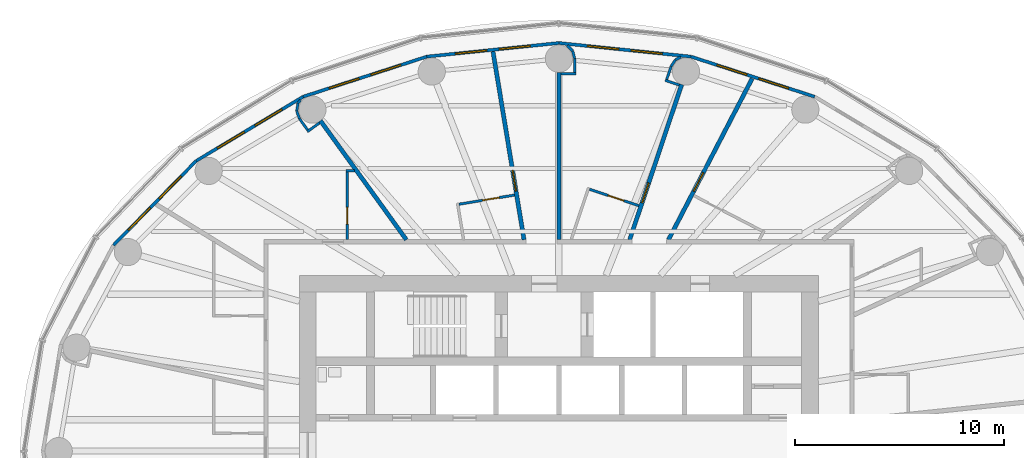
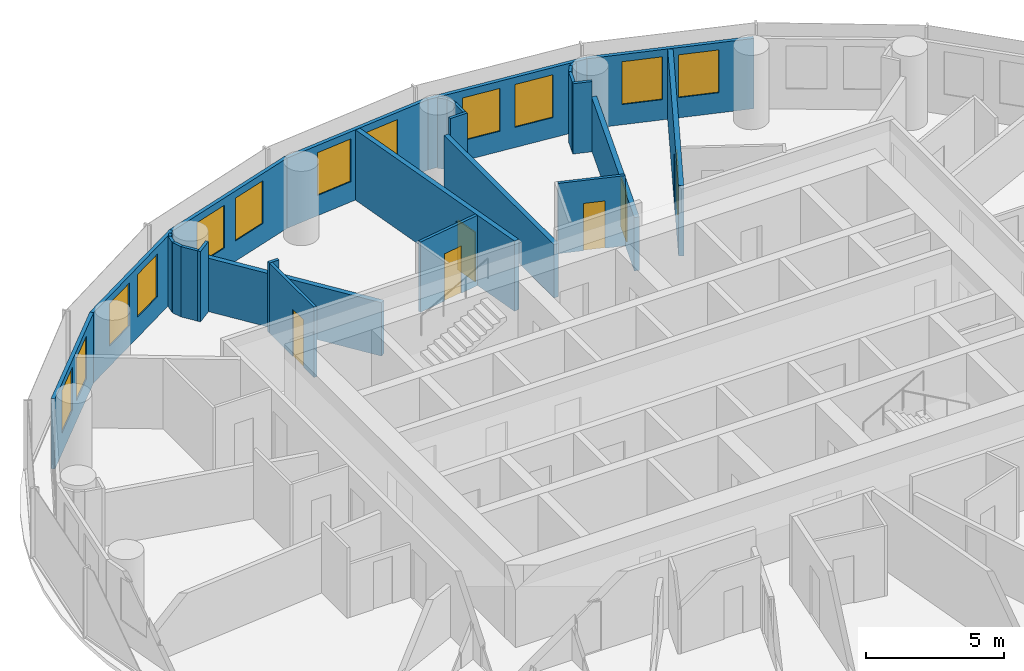
# One storey, part 11 of 14: 28 walls, 12 windows, 6 doors, 18 openings.
"""IFC4 building model written with IfcOpenShell, lengths in metres."""

from ifc_helpers import new_model, si_unit, direction, frame, frame_2d, origin, place, context, subcontext, project, spatial, rectangle, extrude, material, layer, layer_set, type_object, element, fill, save


model = new_model("IFC4")

# Units and contexts
model_context = context("Model", 3, precision=1e-05, world=origin(), true_north=direction((0.0, 1.0)))
body_context = subcontext(model_context, "Body", "Model", "MODEL_VIEW")
ifc_project = project(units=[si_unit("LENGTHUNIT", "METRE"), si_unit("AREAUNIT", "SQUARE_METRE"), si_unit("VOLUMEUNIT", "CUBIC_METRE"), si_unit("PLANEANGLEUNIT", "RADIAN"), si_unit("MASSUNIT", "GRAM", prefix="KILO")], contexts=[model_context])

# Site, building, storey
site_placement = place(None, origin())
site = spatial("IfcSite", under=ifc_project, at=site_placement, CompositionType="ELEMENT")
building_placement = place(site_placement, origin())
building = spatial("IfcBuilding", under=site, at=building_placement, Name="Hankou Lantern Tower", CompositionType="ELEMENT")
storey_placement = place(building_placement, frame((0.0, 0.0, 112.199951171875)))
storey = spatial("IfcBuildingStorey", under=building, at=storey_placement, Name="L28", CompositionType="ELEMENT", Elevation=112.199951171875)

# Wall, openings, windows
ifc_material_1 = material(Name="Aluminium spandrel panel on steel studs", Category="steel")
ifc_layer_1 = layer(ifc_material_1, 0.14990234375)
ifc_layer_set_1 = layer_set([ifc_layer_1], Name="Aluminium spandrel panel on steel studs")
wall_type_1 = type_object("IfcWallType", Name="EW1 INNER SKIN WALL 150", PredefinedType="ELEMENTEDWALL", material=ifc_layer_set_1)
wall_1_placement = place(storey_placement, frame((12.221435546875, 16.9345703125, 0.0), z_axis=(0.0, 0.0, 1.0), x_axis=(-0.951272691506, 0.308350881944, 0.0)))
wall_1 = element("IfcWall", 1, at=wall_1_placement, inside=storey, type_object=wall_type_1, Name="Inner skin R05-R06 L28", PredefinedType="ELEMENTEDWALL", context=body_context, shape_type="SweptSolid", body=[
    extrude(rectangle(XDim=6.210693359375, YDim=0.14990234375, at=frame_2d((3.10546875, 0.0))), origin(), (0.0, 0.0, 1.0), 3.1201171875),
])
opening_1_placement = place(wall_1_placement, frame((1.305419921875, 0.0, 0.89990234375)))
opening_1 = element("IfcOpeningElement", 2, at=opening_1_placement, cuts=wall_1, Name="Opening W2", PredefinedType="OPENING", context=body_context, shape_type="SweptSolid", body=[
    extrude(rectangle(XDim=1.5, YDim=1.89990234375, at=frame_2d((0.75, 0.949951171875))), frame((0.0, 0.0849609375, 0.0), z_axis=(0.0, -1.0, 0.0), x_axis=(1.0, 0.0, 0.0)), (0.0, 0.0, 1.0), 0.169921875),
])
opening_2_placement = place(wall_1_placement, frame((3.4052734375, 0.0, 0.89990234375)))
opening_2 = element("IfcOpeningElement", 3, at=opening_2_placement, cuts=wall_1, Name="Opening W2", PredefinedType="OPENING", context=body_context, shape_type="SweptSolid", body=[
    extrude(rectangle(XDim=1.5, YDim=1.89990234375, at=frame_2d((0.75, 0.949951171875))), frame((0.0, 0.0849609375, 0.0), z_axis=(0.0, -1.0, 0.0), x_axis=(1.0, 0.0, 0.0)), (0.0, 0.0, 1.0), 0.169921875),
])
ifc_material_2 = material(Name="Aluminium framed double glazed window", Category="aluminium")
window_type = type_object("IfcWindowType", Name="W2 GUEST ROOM WINDOW 1500X1900", PartitioningType="DOUBLE_PANEL_VERTICAL", PredefinedType="WINDOW", material=ifc_material_2)
window_1_placement = place(opening_1_placement, origin())
window_1 = element("IfcWindow", 4, at=window_1_placement, inside=storey, type_object=window_type, Name="Window R05.1 L28", OverallHeight=1.89990234375, OverallWidth=1.5, PartitioningType="SINGLE_PANEL", PredefinedType="WINDOW", context=body_context, shape_type="SweptSolid", body=[
    extrude(rectangle(XDim=1.5, YDim=1.89990234375, at=frame_2d((0.75, 0.949951171875))), frame((0.0, 0.030029296875, 0.0), z_axis=(0.0, -1.0, 0.0), x_axis=(1.0, 0.0, 0.0)), (0.0, 0.0, 1.0), 0.06005859375),
])
fill(opening_1, window_1)
window_2_placement = place(opening_2_placement, origin())
window_2 = element("IfcWindow", 5, at=window_2_placement, inside=storey, type_object=window_type, Name="Window R05.2 L28", OverallHeight=1.89990234375, OverallWidth=1.5, PartitioningType="SINGLE_PANEL", PredefinedType="WINDOW", context=body_context, shape_type="SweptSolid", body=[
    extrude(rectangle(XDim=1.5, YDim=1.89990234375, at=frame_2d((0.75, 0.949951171875))), frame((0.0, 0.030029296875, 0.0), z_axis=(0.0, -1.0, 0.0), x_axis=(1.0, 0.0, 0.0)), (0.0, 0.0, 1.0), 0.06005859375),
])
fill(opening_2, window_2)

wall_2_placement = place(storey_placement, frame((6.3134765625, 18.849609375, 0.0), z_axis=(0.0, 0.0, 1.0), x_axis=(-0.994735690163, 0.102473931887, 0.0)))
wall_2 = element("IfcWall", 6, at=wall_2_placement, inside=storey, type_object=wall_type_1, Name="Inner skin R06-R07 L28", PredefinedType="ELEMENTEDWALL", context=body_context, shape_type="SweptSolid", body=[
    extrude(rectangle(XDim=6.346923828125, YDim=0.14990234375, at=frame_2d((3.17333984375, 0.0))), origin(), (0.0, 0.0, 1.0), 3.1201171875),
])
opening_3_placement = place(wall_2_placement, frame((1.373291015625, 0.0, 0.89990234375)))
opening_3 = element("IfcOpeningElement", 7, at=opening_3_placement, cuts=wall_2, Name="Opening W2", PredefinedType="OPENING", context=body_context, shape_type="SweptSolid", body=[
    extrude(rectangle(XDim=1.5, YDim=1.89990234375, at=frame_2d((0.75, 0.949951171875))), frame((0.0, 0.0849609375, 0.0), z_axis=(0.0, -1.0, 0.0), x_axis=(1.0, 0.0, 0.0)), (0.0, 0.0, 1.0), 0.169921875),
])
opening_4_placement = place(wall_2_placement, frame((3.473388671875, 0.0, 0.89990234375)))
opening_4 = element("IfcOpeningElement", 8, at=opening_4_placement, cuts=wall_2, Name="Opening W2", PredefinedType="OPENING", context=body_context, shape_type="SweptSolid", body=[
    extrude(rectangle(XDim=1.5, YDim=1.89990234375, at=frame_2d((0.75, 0.949951171875))), frame((0.0, 0.0849609375, 0.0), z_axis=(0.0, -1.0, 0.0), x_axis=(1.0, 0.0, 0.0)), (0.0, 0.0, 1.0), 0.169921875),
])
window_3_placement = place(opening_3_placement, origin())
window_3 = element("IfcWindow", 9, at=window_3_placement, inside=storey, type_object=window_type, Name="Window R06.1 L28", OverallHeight=1.89990234375, OverallWidth=1.5, PartitioningType="SINGLE_PANEL", PredefinedType="WINDOW", context=body_context, shape_type="SweptSolid", body=[
    extrude(rectangle(XDim=1.5, YDim=1.89990234375, at=frame_2d((0.75, 0.949951171875))), frame((0.0, 0.030029296875, 0.0), z_axis=(0.0, -1.0, 0.0), x_axis=(1.0, 0.0, 0.0)), (0.0, 0.0, 1.0), 0.06005859375),
])
fill(opening_3, window_3)
window_4_placement = place(opening_4_placement, origin())
window_4 = element("IfcWindow", 10, at=window_4_placement, inside=storey, type_object=window_type, Name="Window R06.2 L28", OverallHeight=1.89990234375, OverallWidth=1.5, PartitioningType="SINGLE_PANEL", PredefinedType="WINDOW", context=body_context, shape_type="SweptSolid", body=[
    extrude(rectangle(XDim=1.5, YDim=1.89990234375, at=frame_2d((0.75, 0.949951171875))), frame((0.0, 0.030029296875, 0.0), z_axis=(0.0, -1.0, 0.0), x_axis=(1.0, 0.0, 0.0)), (0.0, 0.0, 1.0), 0.06005859375),
])
fill(opening_4, window_4)

wall_3_placement = place(storey_placement, frame((0.0, 19.5, 0.0), z_axis=(0.0, 0.0, 1.0), x_axis=(-0.994735690163, -0.102473931887, 0.0)))
wall_3 = element("IfcWall", 11, at=wall_3_placement, inside=storey, type_object=wall_type_1, Name="Inner skin R07-R08 L28", PredefinedType="ELEMENTEDWALL", context=body_context, shape_type="SweptSolid", body=[
    extrude(rectangle(XDim=6.346923828125, YDim=0.14990234375, at=frame_2d((3.17333984375, 0.0))), origin(), (0.0, 0.0, 1.0), 3.1201171875),
])
opening_5_placement = place(wall_3_placement, frame((1.373291015625, 0.0, 0.89990234375)))
opening_5 = element("IfcOpeningElement", 12, at=opening_5_placement, cuts=wall_3, Name="Opening W2", PredefinedType="OPENING", context=body_context, shape_type="SweptSolid", body=[
    extrude(rectangle(XDim=1.5, YDim=1.89990234375, at=frame_2d((0.75, 0.949951171875))), frame((0.0, 0.0849609375, 0.0), z_axis=(0.0, -1.0, 0.0), x_axis=(1.0, 0.0, 0.0)), (0.0, 0.0, 1.0), 0.169921875),
])
opening_6_placement = place(wall_3_placement, frame((3.473388671875, 0.0, 0.89990234375)))
opening_6 = element("IfcOpeningElement", 13, at=opening_6_placement, cuts=wall_3, Name="Opening W2", PredefinedType="OPENING", context=body_context, shape_type="SweptSolid", body=[
    extrude(rectangle(XDim=1.5, YDim=1.89990234375, at=frame_2d((0.75, 0.949951171875))), frame((0.0, 0.0849609375, 0.0), z_axis=(0.0, -1.0, 0.0), x_axis=(1.0, 0.0, 0.0)), (0.0, 0.0, 1.0), 0.169921875),
])
window_5_placement = place(opening_5_placement, origin())
window_5 = element("IfcWindow", 14, at=window_5_placement, inside=storey, type_object=window_type, Name="Window R07.1 L28", OverallHeight=1.89990234375, OverallWidth=1.5, PartitioningType="SINGLE_PANEL", PredefinedType="WINDOW", context=body_context, shape_type="SweptSolid", body=[
    extrude(rectangle(XDim=1.5, YDim=1.89990234375, at=frame_2d((0.75, 0.949951171875))), frame((0.0, 0.030029296875, 0.0), z_axis=(0.0, -1.0, 0.0), x_axis=(1.0, 0.0, 0.0)), (0.0, 0.0, 1.0), 0.06005859375),
])
fill(opening_5, window_5)
window_6_placement = place(opening_6_placement, origin())
window_6 = element("IfcWindow", 15, at=window_6_placement, inside=storey, type_object=window_type, Name="Window R07.2 L28", OverallHeight=1.89990234375, OverallWidth=1.5, PartitioningType="SINGLE_PANEL", PredefinedType="WINDOW", context=body_context, shape_type="SweptSolid", body=[
    extrude(rectangle(XDim=1.5, YDim=1.89990234375, at=frame_2d((0.75, 0.949951171875))), frame((0.0, 0.030029296875, 0.0), z_axis=(0.0, -1.0, 0.0), x_axis=(1.0, 0.0, 0.0)), (0.0, 0.0, 1.0), 0.06005859375),
])
fill(opening_6, window_6)

wall_4_placement = place(storey_placement, frame((-6.3134765625, 18.849609375, 0.0), z_axis=(0.0, 0.0, 1.0), x_axis=(-0.951272691506, -0.308350881944, 0.0)))
wall_4 = element("IfcWall", 16, at=wall_4_placement, inside=storey, type_object=wall_type_1, Name="Inner skin R08-R09 L28", PredefinedType="ELEMENTEDWALL", context=body_context, shape_type="SweptSolid", body=[
    extrude(rectangle(XDim=6.210693359375, YDim=0.14990234375, at=frame_2d((3.10546875, 0.0))), origin(), (0.0, 0.0, 1.0), 3.1201171875),
])
opening_7_placement = place(wall_4_placement, frame((1.305419921875, 0.0, 0.89990234375)))
opening_7 = element("IfcOpeningElement", 17, at=opening_7_placement, cuts=wall_4, Name="Opening W2", PredefinedType="OPENING", context=body_context, shape_type="SweptSolid", body=[
    extrude(rectangle(XDim=1.5, YDim=1.89990234375, at=frame_2d((0.75, 0.949951171875))), frame((0.0, 0.0849609375, 0.0), z_axis=(0.0, -1.0, 0.0), x_axis=(1.0, 0.0, 0.0)), (0.0, 0.0, 1.0), 0.169921875),
])
opening_8_placement = place(wall_4_placement, frame((3.4052734375, 0.0, 0.89990234375)))
opening_8 = element("IfcOpeningElement", 18, at=opening_8_placement, cuts=wall_4, Name="Opening W2", PredefinedType="OPENING", context=body_context, shape_type="SweptSolid", body=[
    extrude(rectangle(XDim=1.5, YDim=1.89990234375, at=frame_2d((0.75, 0.949951171875))), frame((0.0, 0.0849609375, 0.0), z_axis=(0.0, -1.0, 0.0), x_axis=(1.0, 0.0, 0.0)), (0.0, 0.0, 1.0), 0.169921875),
])
window_7_placement = place(opening_7_placement, origin())
window_7 = element("IfcWindow", 19, at=window_7_placement, inside=storey, type_object=window_type, Name="Window R08.1 L28", OverallHeight=1.89990234375, OverallWidth=1.5, PartitioningType="SINGLE_PANEL", PredefinedType="WINDOW", context=body_context, shape_type="SweptSolid", body=[
    extrude(rectangle(XDim=1.5, YDim=1.89990234375, at=frame_2d((0.75, 0.949951171875))), frame((0.0, 0.030029296875, 0.0), z_axis=(0.0, -1.0, 0.0), x_axis=(1.0, 0.0, 0.0)), (0.0, 0.0, 1.0), 0.06005859375),
])
fill(opening_7, window_7)
window_8_placement = place(opening_8_placement, origin())
window_8 = element("IfcWindow", 20, at=window_8_placement, inside=storey, type_object=window_type, Name="Window R08.2 L28", OverallHeight=1.89990234375, OverallWidth=1.5, PartitioningType="SINGLE_PANEL", PredefinedType="WINDOW", context=body_context, shape_type="SweptSolid", body=[
    extrude(rectangle(XDim=1.5, YDim=1.89990234375, at=frame_2d((0.75, 0.949951171875))), frame((0.0, 0.030029296875, 0.0), z_axis=(0.0, -1.0, 0.0), x_axis=(1.0, 0.0, 0.0)), (0.0, 0.0, 1.0), 0.06005859375),
])
fill(opening_8, window_8)

wall_5_placement = place(storey_placement, frame((-12.221435546875, 16.9345703125, 0.0), z_axis=(0.0, 0.0, 1.0), x_axis=(-0.857308573723, -0.514802884044, 0.0)))
wall_5 = element("IfcWall", 21, at=wall_5_placement, inside=storey, type_object=wall_type_1, Name="Inner skin R09-R10 L28", PredefinedType="ELEMENTEDWALL", context=body_context, shape_type="SweptSolid", body=[
    extrude(rectangle(XDim=5.961181640625, YDim=0.14990234375, at=frame_2d((2.98046875, 0.0))), origin(), (0.0, 0.0, 1.0), 3.1201171875),
])
opening_9_placement = place(wall_5_placement, frame((1.1806640625, 0.0, 0.89990234375)))
opening_9 = element("IfcOpeningElement", 22, at=opening_9_placement, cuts=wall_5, Name="Opening W2", PredefinedType="OPENING", context=body_context, shape_type="SweptSolid", body=[
    extrude(rectangle(XDim=1.5, YDim=1.89990234375, at=frame_2d((0.75, 0.949951171875))), frame((0.0, 0.0849609375, 0.0), z_axis=(0.0, -1.0, 0.0), x_axis=(1.0, 0.0, 0.0)), (0.0, 0.0, 1.0), 0.169921875),
])
opening_10_placement = place(wall_5_placement, frame((3.280517578125, 0.0, 0.89990234375)))
opening_10 = element("IfcOpeningElement", 23, at=opening_10_placement, cuts=wall_5, Name="Opening W2", PredefinedType="OPENING", context=body_context, shape_type="SweptSolid", body=[
    extrude(rectangle(XDim=1.5, YDim=1.89990234375, at=frame_2d((0.75, 0.949951171875))), frame((0.0, 0.0849609375, 0.0), z_axis=(0.0, -1.0, 0.0), x_axis=(1.0, 0.0, 0.0)), (0.0, 0.0, 1.0), 0.169921875),
])
window_9_placement = place(opening_9_placement, origin())
window_9 = element("IfcWindow", 24, at=window_9_placement, inside=storey, type_object=window_type, Name="Window R09.1 L28", OverallHeight=1.89990234375, OverallWidth=1.5, PartitioningType="SINGLE_PANEL", PredefinedType="WINDOW", context=body_context, shape_type="SweptSolid", body=[
    extrude(rectangle(XDim=1.5, YDim=1.89990234375, at=frame_2d((0.75, 0.949951171875))), frame((0.0, 0.030029296875, 0.0), z_axis=(0.0, -1.0, 0.0), x_axis=(1.0, 0.0, 0.0)), (0.0, 0.0, 1.0), 0.06005859375),
])
fill(opening_9, window_9)
window_10_placement = place(opening_10_placement, origin())
window_10 = element("IfcWindow", 25, at=window_10_placement, inside=storey, type_object=window_type, Name="Window R09.2 L28", OverallHeight=1.89990234375, OverallWidth=1.5, PartitioningType="SINGLE_PANEL", PredefinedType="WINDOW", context=body_context, shape_type="SweptSolid", body=[
    extrude(rectangle(XDim=1.5, YDim=1.89990234375, at=frame_2d((0.75, 0.949951171875))), frame((0.0, 0.030029296875, 0.0), z_axis=(0.0, -1.0, 0.0), x_axis=(1.0, 0.0, 0.0)), (0.0, 0.0, 1.0), 0.06005859375),
])
fill(opening_10, window_10)

wall_6_placement = place(storey_placement, frame((-17.33203125, 13.86572265625, 0.0), z_axis=(0.0, 0.0, 1.0), x_axis=(-0.700136650834, -0.714008872605, 0.0)))
wall_6 = element("IfcWall", 26, at=wall_6_placement, inside=storey, type_object=wall_type_1, Name="Inner skin R10-R11 L28", PredefinedType="ELEMENTEDWALL", context=body_context, shape_type="SweptSolid", body=[
    extrude(rectangle(XDim=5.6494140625, YDim=0.14990234375, at=frame_2d((2.82470703125, 0.0))), origin(), (0.0, 0.0, 1.0), 3.1201171875),
])
opening_11_placement = place(wall_6_placement, frame((1.024658203125, 0.0, 0.89990234375)))
opening_11 = element("IfcOpeningElement", 27, at=opening_11_placement, cuts=wall_6, Name="Opening W2", PredefinedType="OPENING", context=body_context, shape_type="SweptSolid", body=[
    extrude(rectangle(XDim=1.5, YDim=1.89990234375, at=frame_2d((0.75, 0.949951171875))), frame((0.0, 0.0849609375, 0.0), z_axis=(0.0, -1.0, 0.0), x_axis=(1.0, 0.0, 0.0)), (0.0, 0.0, 1.0), 0.169921875),
])
opening_12_placement = place(wall_6_placement, frame((3.12451171875, 0.0, 0.89990234375)))
opening_12 = element("IfcOpeningElement", 28, at=opening_12_placement, cuts=wall_6, Name="Opening W2", PredefinedType="OPENING", context=body_context, shape_type="SweptSolid", body=[
    extrude(rectangle(XDim=1.5, YDim=1.89990234375, at=frame_2d((0.75, 0.949951171875))), frame((0.0, 0.0849609375, 0.0), z_axis=(0.0, -1.0, 0.0), x_axis=(1.0, 0.0, 0.0)), (0.0, 0.0, 1.0), 0.169921875),
])
window_11_placement = place(opening_11_placement, origin())
window_11 = element("IfcWindow", 29, at=window_11_placement, inside=storey, type_object=window_type, Name="Window R10.1 L28", OverallHeight=1.89990234375, OverallWidth=1.5, PartitioningType="SINGLE_PANEL", PredefinedType="WINDOW", context=body_context, shape_type="SweptSolid", body=[
    extrude(rectangle(XDim=1.5, YDim=1.89990234375, at=frame_2d((0.75, 0.949951171875))), frame((0.0, 0.030029296875, 0.0), z_axis=(0.0, -1.0, 0.0), x_axis=(1.0, 0.0, 0.0)), (0.0, 0.0, 1.0), 0.06005859375),
])
fill(opening_11, window_11)
window_12_placement = place(opening_12_placement, origin())
window_12 = element("IfcWindow", 30, at=window_12_placement, inside=storey, type_object=window_type, Name="Window R10.2 L28", OverallHeight=1.89990234375, OverallWidth=1.5, PartitioningType="SINGLE_PANEL", PredefinedType="WINDOW", context=body_context, shape_type="SweptSolid", body=[
    extrude(rectangle(XDim=1.5, YDim=1.89990234375, at=frame_2d((0.75, 0.949951171875))), frame((0.0, 0.030029296875, 0.0), z_axis=(0.0, -1.0, 0.0), x_axis=(1.0, 0.0, 0.0)), (0.0, 0.0, 1.0), 0.06005859375),
])
fill(opening_12, window_12)

# Wall
ifc_material_3 = material(Name="Masonry lightweight concrete block", Category="masonry")
ifc_layer_2 = layer(ifc_material_3, 0.199951171875)
ifc_layer_set_2 = layer_set([ifc_layer_2], Name="Masonry lightweight concrete block")
wall_type_2 = type_object("IfcWallType", Name="IW1 GUEST ROOM PARTY WALL 200", PredefinedType="PARTITIONING", material=ifc_layer_set_2)
wall_7_placement = place(storey_placement, frame((-7.2890625, 10.10009765625, 0.0), z_axis=(0.0, 0.0, 1.0), x_axis=(-0.585217367024, 0.81087645997, 0.0)))
element("IfcWall", 31, at=wall_7_placement, inside=storey, type_object=wall_type_2, Name="Party wall R09", PredefinedType="PARTITIONING", context=body_context, shape_type="SweptSolid", body=[
    extrude(rectangle(XDim=7.01611328125, YDim=0.199951171875, at=frame_2d((3.508056640625, 0.0))), origin(), (0.0, 0.0, 1.0), 2.3701171875),
])

# Wall, opening, door
ifc_material_4 = material(Name="Masonry lightweight concrete block", Category="masonry")
ifc_layer_3 = layer(ifc_material_4, 0.199951171875)
ifc_layer_set_3 = layer_set([ifc_layer_3], Name="Masonry lightweight concrete block")
wall_type_3 = type_object("IfcWallType", Name="IW2 CORRIDOR WALL 200", PredefinedType="PARTITIONING", material=ifc_layer_set_3)
wall_8_placement = place(storey_placement, frame((5.2392578125, 10.10009765625, 0.0), z_axis=(0.0, 0.0, 1.0), x_axis=(0.4604797896, 0.887670188398, 0.0)))
wall_8 = element("IfcWall", 32, at=wall_8_placement, inside=storey, type_object=wall_type_3, Name="Corridor spur wall R05-R06", PredefinedType="PARTITIONING", context=body_context, shape_type="SweptSolid", body=[
    extrude(rectangle(XDim=8.676025390625, YDim=0.199951171875, at=frame_2d((4.337890625, 0.0))), origin(), (0.0, 0.0, 1.0), 3.1201171875),
])
opening_13_placement = place(wall_8_placement, frame((2.610107421875, 0.0, 0.0)))
opening_13 = element("IfcOpeningElement", 33, at=opening_13_placement, cuts=wall_8, Name="Opening D1", PredefinedType="OPENING", context=body_context, shape_type="SweptSolid", body=[
    extrude(rectangle(XDim=1.0, YDim=2.199951171875, at=frame_2d((0.5, 1.10009765625))), frame((0.0, 0.10986328125, 0.0), z_axis=(0.0, -1.0, 0.0), x_axis=(1.0, 0.0, 0.0)), (0.0, 0.0, 1.0), 0.219970703125),
])
ifc_material_5 = material(Name="Steel door leaf", Category="steel")
door_type_1 = type_object("IfcDoorType", Name="D1 GUEST ROOM DOOR 1000X2200", OperationType="SINGLE_SWING_LEFT", PredefinedType="DOOR", material=ifc_material_5)
door_1_placement = place(opening_13_placement, origin())
door_1 = element("IfcDoor", 34, at=door_1_placement, inside=storey, type_object=door_type_1, Name="Guest room door 2820", OperationType="SINGLE_SWING_RIGHT", OverallHeight=2.199951171875, OverallWidth=1.0, PredefinedType="DOOR", context=body_context, shape_type="SweptSolid", body=[
    extrude(rectangle(XDim=1.0, YDim=2.199951171875, at=frame_2d((0.5, 1.10009765625))), frame((0.0, 0.02490234375, 0.0), z_axis=(0.0, -1.0, 0.0), x_axis=(1.0, 0.0, 0.0)), (0.0, 0.0, 1.0), 0.050048828125),
])
fill(opening_13, door_1)

wall_9_placement = place(storey_placement, frame((3.3828125, 10.10009765625, 0.0), z_axis=(0.0, 0.0, 1.0), x_axis=(0.317603705574, 0.948223542318, 0.0)))
wall_9 = element("IfcWall", 35, at=wall_9_placement, inside=storey, type_object=wall_type_3, Name="Corridor spur wall R06", PredefinedType="PARTITIONING", context=body_context, shape_type="SweptSolid", body=[
    extrude(rectangle(XDim=7.822998046875, YDim=0.199951171875, at=frame_2d((3.91162109375, 0.0))), origin(), (0.0, 0.0, 1.0), 2.3701171875),
])
opening_14_placement = place(wall_9_placement, frame((1.860107421875, 0.0, 0.0)))
opening_14 = element("IfcOpeningElement", 36, at=opening_14_placement, cuts=wall_9, Name="Opening D1", PredefinedType="OPENING", context=body_context, shape_type="SweptSolid", body=[
    extrude(rectangle(XDim=1.0, YDim=2.199951171875, at=frame_2d((0.5, 1.10009765625))), frame((0.0, 0.10986328125, 0.0), z_axis=(0.0, -1.0, 0.0), x_axis=(1.0, 0.0, 0.0)), (0.0, 0.0, 1.0), 0.219970703125),
])
door_2_placement = place(opening_14_placement, origin())
door_2 = element("IfcDoor", 37, at=door_2_placement, inside=storey, type_object=door_type_1, Name="Guest room door 2802", OperationType="SINGLE_SWING_LEFT", OverallHeight=2.199951171875, OverallWidth=1.0, PredefinedType="DOOR", context=body_context, shape_type="SweptSolid", body=[
    extrude(rectangle(XDim=1.0, YDim=2.199951171875, at=frame_2d((0.5, 1.10009765625))), frame((0.0, 0.02490234375, 0.0), z_axis=(0.0, -1.0, 0.0), x_axis=(1.0, 0.0, 0.0)), (0.0, 0.0, 1.0), 0.050048828125),
])
fill(opening_14, door_2)

# Wall
wall_10_placement = place(storey_placement, frame((0.0, 10.10009765625, 0.0), z_axis=(0.0, 0.0, 1.0), x_axis=(0.0, 1.0, 0.0)))
element("IfcWall", 38, at=wall_10_placement, inside=storey, type_object=wall_type_3, Name="Corridor spur wall R07", PredefinedType="PARTITIONING", context=body_context, shape_type="SweptSolid", body=[
    extrude(rectangle(XDim=8.0, YDim=0.199951171875, at=frame_2d((4.0, 0.0))), origin(), (0.0, 0.0, 1.0), 2.3701171875),
])

# Wall, opening, door
wall_11_placement = place(storey_placement, frame((-1.665283203125, 10.10009765625, 0.0), z_axis=(0.0, 0.0, 1.0), x_axis=(-0.162660519103, 0.986682094459, 0.0)))
wall_11 = element("IfcWall", 39, at=wall_11_placement, inside=storey, type_object=wall_type_3, Name="Corridor spur wall R07-R08", PredefinedType="PARTITIONING", context=body_context, shape_type="SweptSolid", body=[
    extrude(rectangle(XDim=9.110595703125, YDim=0.199951171875, at=frame_2d((4.55517578125, 0.0))), origin(), (0.0, 0.0, 1.0), 3.1201171875),
])
opening_15_placement = place(wall_11_placement, frame((2.360107421875, 0.0, 0.0)))
opening_15 = element("IfcOpeningElement", 40, at=opening_15_placement, cuts=wall_11, Name="Opening D1", PredefinedType="OPENING", context=body_context, shape_type="SweptSolid", body=[
    extrude(rectangle(XDim=1.0, YDim=2.199951171875, at=frame_2d((0.5, 1.10009765625))), frame((0.0, 0.10986328125, 0.0), z_axis=(0.0, -1.0, 0.0), x_axis=(1.0, 0.0, 0.0)), (0.0, 0.0, 1.0), 0.219970703125),
])
door_3_placement = place(opening_15_placement, origin())
door_3 = element("IfcDoor", 41, at=door_3_placement, inside=storey, type_object=door_type_1, Name="Guest room door 2804", OperationType="SINGLE_SWING_LEFT", OverallHeight=2.199951171875, OverallWidth=1.0, PredefinedType="DOOR", context=body_context, shape_type="SweptSolid", body=[
    extrude(rectangle(XDim=1.0, YDim=2.199951171875, at=frame_2d((0.5, 1.10009765625))), frame((0.0, 0.02490234375, 0.0), z_axis=(0.0, -1.0, 0.0), x_axis=(1.0, 0.0, 0.0)), (0.0, 0.0, 1.0), 0.050048828125),
])
fill(opening_15, door_3)

ifc_material_6 = material(Name="Masonry lightweight concrete block", Category="masonry")
ifc_layer_4 = layer(ifc_material_6, 0.1201171875)
ifc_layer_set_4 = layer_set([ifc_layer_4], Name="Masonry lightweight concrete block")
wall_type_4 = type_object("IfcWallType", Name="IW3 BATHROOM WALL 120", PredefinedType="PARTITIONING", material=ifc_layer_set_4)
wall_12_placement = place(storey_placement, frame((3.821533203125, 11.724853515625, 0.0), z_axis=(0.0, 0.0, 1.0), x_axis=(-0.948231307998, 0.317580519761, 0.0)))
wall_12 = element("IfcWall", 42, at=wall_12_placement, inside=storey, type_object=wall_type_4, Name="Box wall 2802 1", PredefinedType="PARTITIONING", context=body_context, shape_type="SweptSolid", body=[
    extrude(rectangle(XDim=2.489990234375, YDim=0.1201171875, at=frame_2d((1.2451171875, 0.0))), origin(), (0.0, 0.0, 1.0), 3.1201171875),
])
opening_16_placement = place(wall_12_placement, frame((0.75, 0.0, 0.0)))
opening_16 = element("IfcOpeningElement", 43, at=opening_16_placement, cuts=wall_12, Name="Opening D3", PredefinedType="OPENING", context=body_context, shape_type="SweptSolid", body=[
    extrude(rectangle(XDim=0.800048828125, YDim=2.10009765625, at=frame_2d((0.39990234375, 1.050048828125))), frame((0.0, 0.070068359375, 0.0), z_axis=(0.0, -1.0, 0.0), x_axis=(1.0, 0.0, 0.0)), (0.0, 0.0, 1.0), 0.14013671875),
])
ifc_material_7 = material(Name="Timber door leaf", Category="wood")
door_type_2 = type_object("IfcDoorType", Name="D3 BATHROOM DOOR 800X2100", OperationType="SINGLE_SWING_LEFT", PredefinedType="DOOR", material=ifc_material_7)
door_4_placement = place(opening_16_placement, origin())
door_4 = element("IfcDoor", 44, at=door_4_placement, inside=storey, type_object=door_type_2, Name="En-suite bathroom 2802 door", OperationType="SINGLE_SWING_LEFT", OverallHeight=2.10009765625, OverallWidth=0.800048828125, PredefinedType="DOOR", context=body_context, shape_type="SweptSolid", body=[
    extrude(rectangle(XDim=0.800048828125, YDim=2.10009765625, at=frame_2d((0.39990234375, 1.050048828125))), frame((0.0, 0.02490234375, 0.0), z_axis=(0.0, -1.0, 0.0), x_axis=(1.0, 0.0, 0.0)), (0.0, 0.0, 1.0), 0.050048828125),
])
fill(opening_16, door_4)

wall_13_placement = place(storey_placement, frame((-2.118408203125, 12.234619140625, 0.0), z_axis=(0.0, 0.0, 1.0), x_axis=(-0.986686682911, -0.16263268357, 0.0)))
wall_13 = element("IfcWall", 45, at=wall_13_placement, inside=storey, type_object=wall_type_4, Name="Box wall 2804 1", PredefinedType="PARTITIONING", context=body_context, shape_type="SweptSolid", body=[
    extrude(rectangle(XDim=2.690185546875, YDim=0.1201171875, at=frame_2d((1.34521484375, 0.0))), origin(), (0.0, 0.0, 1.0), 3.1201171875),
])
opening_17_placement = place(wall_13_placement, frame((0.75, 0.0, 0.0)))
opening_17 = element("IfcOpeningElement", 46, at=opening_17_placement, cuts=wall_13, Name="Opening D3", PredefinedType="OPENING", context=body_context, shape_type="SweptSolid", body=[
    extrude(rectangle(XDim=0.800048828125, YDim=2.10009765625, at=frame_2d((0.39990234375, 1.050048828125))), frame((0.0, 0.070068359375, 0.0), z_axis=(0.0, -1.0, 0.0), x_axis=(1.0, 0.0, 0.0)), (0.0, 0.0, 1.0), 0.14013671875),
])
door_5_placement = place(opening_17_placement, origin())
door_5 = element("IfcDoor", 47, at=door_5_placement, inside=storey, type_object=door_type_2, Name="En-suite bathroom 2804 door", OperationType="SINGLE_SWING_LEFT", OverallHeight=2.10009765625, OverallWidth=0.800048828125, PredefinedType="DOOR", context=body_context, shape_type="SweptSolid", body=[
    extrude(rectangle(XDim=0.800048828125, YDim=2.10009765625, at=frame_2d((0.39990234375, 1.050048828125))), frame((0.0, 0.02490234375, 0.0), z_axis=(0.0, -1.0, 0.0), x_axis=(1.0, 0.0, 0.0)), (0.0, 0.0, 1.0), 0.050048828125),
])
fill(opening_17, door_5)

# Wall
wall_14_placement = place(storey_placement, frame((-9.7705078125, 13.39990234375, 0.0), z_axis=(0.0, 0.0, 1.0), x_axis=(-1.0, 0.0, 0.0)))
element("IfcWall", 48, at=wall_14_placement, inside=storey, type_object=wall_type_4, Name="Box wall 2805 1", PredefinedType="PARTITIONING", context=body_context, shape_type="SweptSolid", body=[
    extrude(rectangle(XDim=0.408447265625, YDim=0.1201171875, at=frame_2d((0.2041015625, 0.0))), origin(), (0.0, 0.0, 1.0), 3.1201171875),
])

# Wall, opening, door
wall_15_placement = place(storey_placement, frame((-10.119140625, 10.10009765625, 0.0), z_axis=(0.0, 0.0, 1.0), x_axis=(0.0, 1.0, 0.0)))
wall_15 = element("IfcWall", 49, at=wall_15_placement, inside=storey, type_object=wall_type_4, Name="Box wall 2805 1", PredefinedType="PARTITIONING", context=body_context, shape_type="SweptSolid", body=[
    extrude(rectangle(XDim=3.239990234375, YDim=0.1201171875, at=frame_2d((1.6201171875, 0.0))), origin(), (0.0, 0.0, 1.0), 3.1201171875),
])
opening_18_placement = place(wall_15_placement, frame((0.75, 0.0, 0.0)))
opening_18 = element("IfcOpeningElement", 50, at=opening_18_placement, cuts=wall_15, Name="Opening D3", PredefinedType="OPENING", context=body_context, shape_type="SweptSolid", body=[
    extrude(rectangle(XDim=0.800048828125, YDim=2.10009765625, at=frame_2d((0.39990234375, 1.050048828125))), frame((0.0, 0.070068359375, 0.0), z_axis=(0.0, -1.0, 0.0), x_axis=(1.0, 0.0, 0.0)), (0.0, 0.0, 1.0), 0.14013671875),
])
door_6_placement = place(opening_18_placement, origin())
door_6 = element("IfcDoor", 51, at=door_6_placement, inside=storey, type_object=door_type_2, Name="En-suite bathroom 2805 door", OperationType="SINGLE_SWING_LEFT", OverallHeight=2.10009765625, OverallWidth=0.800048828125, PredefinedType="DOOR", context=body_context, shape_type="SweptSolid", body=[
    extrude(rectangle(XDim=0.800048828125, YDim=2.10009765625, at=frame_2d((0.39990234375, 1.050048828125))), frame((0.0, 0.02490234375, 0.0), z_axis=(0.0, -1.0, 0.0), x_axis=(1.0, 0.0, 0.0)), (0.0, 0.0, 1.0), 0.050048828125),
])
fill(opening_18, door_6)

# Walls
ifc_material_8 = material(Name="Masonry lightweight concrete block", Category="masonry")
ifc_layer_5 = layer(ifc_material_8, 0.1201171875)
ifc_layer_set_5 = layer_set([ifc_layer_5], Name="Masonry lightweight concrete block")
wall_type_5 = type_object("IfcWallType", Name="IW4 PARTITION 120", PredefinedType="PARTITIONING", material=ifc_layer_set_5)
wall_16_placement = place(storey_placement, frame((5.753662109375, 17.492919921875, 0.0), z_axis=(0.0, 0.0, 1.0), x_axis=(-0.9482389443, 0.317557718397, 0.0)))
element("IfcWall", 52, at=wall_16_placement, inside=storey, type_object=wall_type_5, Name="Column casing R06 return", PredefinedType="PARTITIONING", context=body_context, shape_type="SweptSolid", body=[
    extrude(rectangle(XDim=0.7158203125, YDim=0.1201171875, at=frame_2d((0.35791015625, 0.0))), origin(), (0.0, 0.0, 1.0), 3.1201171875),
])
wall_17_placement = place(storey_placement, frame((5.15087890625, 17.758056640625, 0.0), z_axis=(0.0, 0.0, 1.0), x_axis=(0.317354244456, 0.948307061835, 0.0)))
element("IfcWall", 53, at=wall_17_placement, inside=storey, type_object=wall_type_5, Name="Column casing R06", PredefinedType="PARTITIONING", context=body_context, shape_type="SweptSolid", body=[
    extrude(rectangle(XDim=0.650146484375, YDim=0.1201171875, at=frame_2d((0.3251953125, 0.0))), origin(), (0.0, 0.0, 1.0), 3.1201171875),
])
wall_18_placement = place(storey_placement, frame((5.357177734375, 18.37451171875, 0.0), z_axis=(0.0, 0.0, 1.0), x_axis=(0.552249752128, 0.833678721856, 0.0)))
element("IfcWall", 54, at=wall_18_placement, inside=storey, type_object=wall_type_5, Name="Column casing R06", PredefinedType="PARTITIONING", context=body_context, shape_type="SweptSolid", body=[
    extrude(rectangle(XDim=0.391357421875, YDim=0.1201171875, at=frame_2d((0.19580078125, 0.0))), origin(), (0.0, 0.0, 1.0), 3.1201171875),
])
wall_19_placement = place(storey_placement, frame((5.5732421875, 18.70068359375, 0.0), z_axis=(0.0, 0.0, 1.0), x_axis=(0.895295561985, 0.445472621707, 0.0)))
element("IfcWall", 55, at=wall_19_placement, inside=storey, type_object=wall_type_5, Name="Column casing R06", PredefinedType="PARTITIONING", context=body_context, shape_type="SweptSolid", body=[
    extrude(rectangle(XDim=0.280517578125, YDim=0.1201171875, at=frame_2d((0.14013671875, 0.0))), origin(), (0.0, 0.0, 1.0), 3.1201171875),
])
wall_20_placement = place(storey_placement, frame((0.10009765625, 18.0400390625, 0.0), z_axis=(0.0, 0.0, 1.0), x_axis=(1.0, 0.0, 0.0)))
element("IfcWall", 56, at=wall_20_placement, inside=storey, type_object=wall_type_5, Name="Column casing R07 return", PredefinedType="PARTITIONING", context=body_context, shape_type="SweptSolid", body=[
    extrude(rectangle(XDim=0.715576171875, YDim=0.1201171875, at=frame_2d((0.35791015625, 0.0))), origin(), (0.0, 0.0, 1.0), 3.1201171875),
])
wall_21_placement = place(storey_placement, frame((0.755859375, 18.10009765625, 0.0), z_axis=(0.0, 0.0, 1.0), x_axis=(0.0, 1.0, 0.0)))
element("IfcWall", 57, at=wall_21_placement, inside=storey, type_object=wall_type_5, Name="Column casing R07", PredefinedType="PARTITIONING", context=body_context, shape_type="SweptSolid", body=[
    extrude(rectangle(XDim=0.64990234375, YDim=0.1201171875, at=frame_2d((0.324951171875, 0.0))), origin(), (0.0, 0.0, 1.0), 3.1201171875),
])
wall_22_placement = place(storey_placement, frame((0.755859375, 18.75, 0.0), z_axis=(0.0, 0.0, 1.0), x_axis=(-0.2589440045, 0.965892334856, 0.0)))
element("IfcWall", 58, at=wall_22_placement, inside=storey, type_object=wall_type_5, Name="Column casing R07", PredefinedType="PARTITIONING", context=body_context, shape_type="SweptSolid", body=[
    extrude(rectangle(XDim=0.391357421875, YDim=0.1201171875, at=frame_2d((0.19580078125, 0.0))), origin(), (0.0, 0.0, 1.0), 3.1201171875),
])
wall_23_placement = place(storey_placement, frame((0.654541015625, 19.1279296875, 0.0), z_axis=(0.0, 0.0, 1.0), x_axis=(-0.707443899976, 0.706769501596, 0.0)))
element("IfcWall", 59, at=wall_23_placement, inside=storey, type_object=wall_type_5, Name="Column casing R07", PredefinedType="PARTITIONING", context=body_context, shape_type="SweptSolid", body=[
    extrude(rectangle(XDim=0.362060546875, YDim=0.1201171875, at=frame_2d((0.18115234375, 0.0))), origin(), (0.0, 0.0, 1.0), 3.1201171875),
])
wall_24_placement = place(storey_placement, frame((-11.44091796875, 15.68212890625, 0.0), z_axis=(0.0, 0.0, 1.0), x_axis=(-0.810796141244, -0.585328640461, 0.0)))
element("IfcWall", 60, at=wall_24_placement, inside=storey, type_object=wall_type_5, Name="Column casing R09 return", PredefinedType="PARTITIONING", context=body_context, shape_type="SweptSolid", body=[
    extrude(rectangle(XDim=0.7158203125, YDim=0.1201171875, at=frame_2d((0.35791015625, 0.0))), origin(), (0.0, 0.0, 1.0), 3.1201171875),
])
wall_25_placement = place(storey_placement, frame((-12.0078125, 15.346923828125, 0.0), z_axis=(0.0, 0.0, 1.0), x_axis=(-0.585175102182, 0.810906961239, 0.0)))
element("IfcWall", 61, at=wall_25_placement, inside=storey, type_object=wall_type_5, Name="Column casing R09", PredefinedType="PARTITIONING", context=body_context, shape_type="SweptSolid", body=[
    extrude(rectangle(XDim=0.64990234375, YDim=0.1201171875, at=frame_2d((0.324951171875, 0.0))), origin(), (0.0, 0.0, 1.0), 3.1201171875),
])
for number, where, z_axis, x_axis, name in (
    (62, (-12.38818359375, 15.8740234375, 0.0), (0.0, 0.0, 1.0), (-0.355086882425, 0.934833303819, 0.0), "Column casing R09"),
    (63, (-12.527099609375, 16.23974609375, 0.0), (0.0, 0.0, 1.0), (0.159134335894, 0.987256938765, 0.0), "Column casing R09"),
):
    element("IfcWall", number, at=place(storey_placement, frame(where, z_axis=z_axis, x_axis=x_axis)), inside=storey, type_object=wall_type_5, Name=name, PredefinedType="PARTITIONING", context=body_context, shape_type="SweptSolid", body=[
        extrude(rectangle(XDim=0.39111328125, YDim=0.1201171875, at=frame_2d((0.195556640625, 0.0))), origin(), (0.0, 0.0, 1.0), 3.1201171875),
    ])
wall_26_placement = place(storey_placement, frame((-12.46484375, 16.6259765625, 0.0), z_axis=(0.0, 0.0, 1.0), x_axis=(0.631672951162, 0.775234985517, 0.0)))
element("IfcWall", 64, at=wall_26_placement, inside=storey, type_object=wall_type_5, Name="Column casing R09", PredefinedType="PARTITIONING", context=body_context, shape_type="SweptSolid", body=[
    extrude(rectangle(XDim=0.18701171875, YDim=0.1201171875, at=frame_2d((0.093505859375, 0.0))), origin(), (0.0, 0.0, 1.0), 3.1201171875),
])

save(model, "model.ifc")
